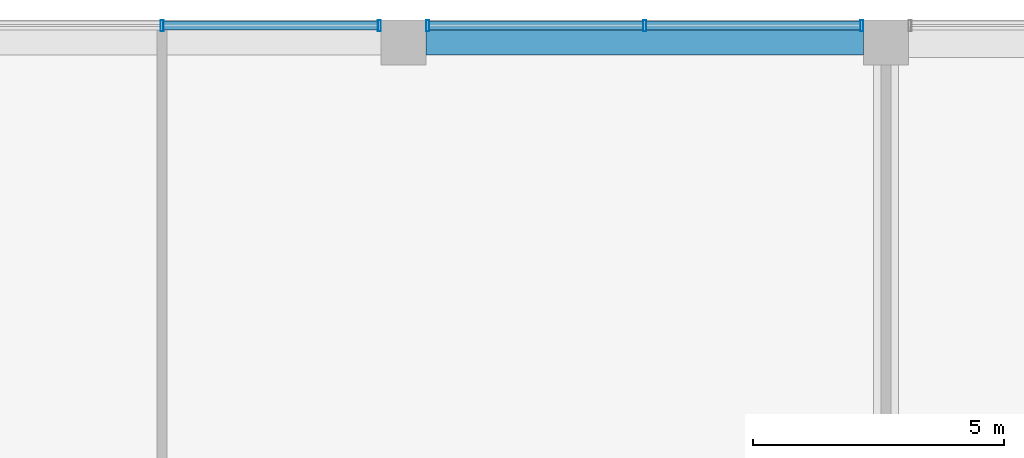
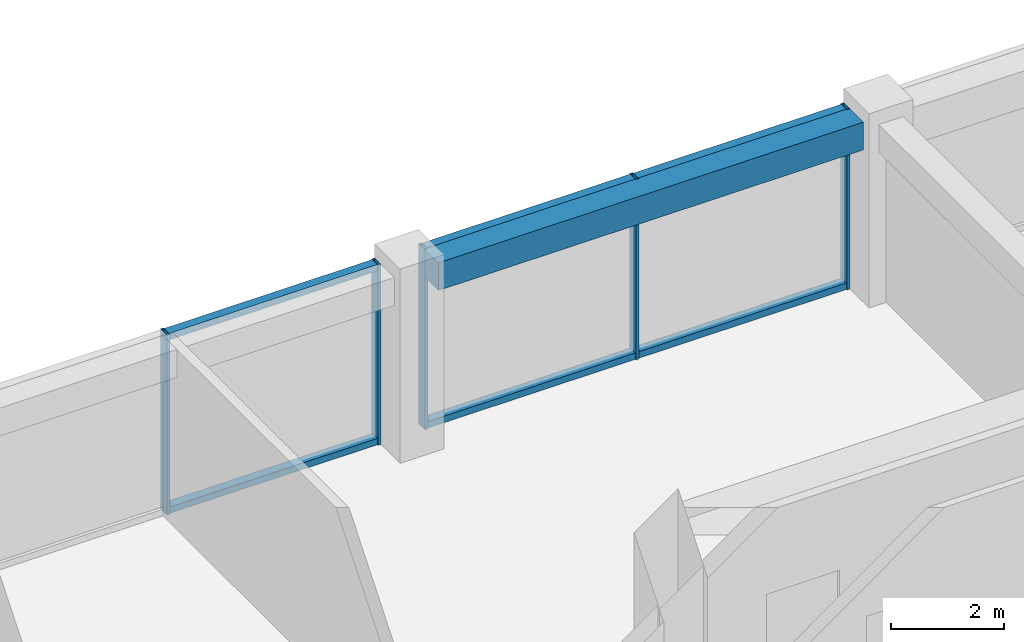
# One storey, part 24 of 37: 11 members, 1 beam, 2 elements without a shape of their own.
"""IFC4 building model written with IfcOpenShell, lengths in metres."""

from ifc_helpers import new_model, si_unit, direction, frame, origin, origin_2d, place, context, subcontext, project, spatial, rectangle, hollow_rectangle, extrude, material, layer, layer_set, material_profile, profile_set, type_object, element, aggregate, save


model = new_model("IFC4")

# Units and contexts
model_context = context("Model", 3, precision=1e-05, world=origin(), true_north=direction((0.0, 1.0)))
body_context = subcontext(model_context, "Body", "Model", "MODEL_VIEW")
ifc_project = project(units=[si_unit("LENGTHUNIT", "METRE"), si_unit("AREAUNIT", "SQUARE_METRE"), si_unit("VOLUMEUNIT", "CUBIC_METRE"), si_unit("PLANEANGLEUNIT", "RADIAN"), si_unit("MASSUNIT", "GRAM", prefix="KILO")], contexts=[model_context])

# Site, building, storey
site_placement = place(None, origin())
site = spatial("IfcSite", under=ifc_project, at=site_placement, CompositionType="ELEMENT")
building_placement = place(site_placement, origin())
building = spatial("IfcBuilding", under=site, at=building_placement, Name="Nzadi Deep Aquarium and Research Tower", CompositionType="ELEMENT")
storey_placement = place(building_placement, frame((0.0, 0.0, 61.300048828125)))
storey = spatial("IfcBuildingStorey", under=building, at=storey_placement, Name="L12", CompositionType="ELEMENT", Elevation=61.300048828125)

# Curtain wall, members
ifc_material_1 = material(Name="Aluminium unitised frame deep", Category="aluminium")
ifc_layer = layer(ifc_material_1, 0.22509765625)
ifc_layer_set = layer_set([ifc_layer], Name="Aluminium unitised frame deep")
curtain_wall_type = type_object("IfcCurtainWallType", Name="Curtain wall Unitised Deep 225", PredefinedType="NOTDEFINED", material=ifc_layer_set)
curtain_wall_1_placement = place(storey_placement, origin())
curtain_wall_1 = element("IfcCurtainWall", 1, at=curtain_wall_1_placement, inside=storey, type_object=curtain_wall_type, Name="Unitised curtain wall blade B north L12", PredefinedType="NOTDEFINED")
ifc_material_2 = material(Name="Aluminium unitised frame deep", Category="aluminium")
ifc_material_profile_1 = material_profile(ifc_material_2, hollow_rectangle(XDim=0.22509765625, YDim=0.06005859375, WallThickness=0.0048828125, at=origin_2d()))
ifc_profile_set_1 = profile_set([ifc_material_profile_1], Name="Aluminium unitised frame deep")
member_type_1 = type_object("IfcMemberType", Name="Mullion 60x225 Unitised Deep", PredefinedType="MULLION", material=ifc_profile_set_1)
member_1_placement = place(storey_placement, frame((33.60009765625, 46.33740234375, 0.0), z_axis=(0.0, 0.0, 1.0), x_axis=(0.0, 1.0, 0.0)))
member_1 = element("IfcMember", 2, at=member_1_placement, type_object=member_type_1, Name="CW161 mullion 2", PredefinedType="MULLION", context=body_context, shape_type="SweptSolid", body=[
    extrude(hollow_rectangle(XDim=0.22509765625, YDim=0.06005859375, WallThickness=0.0048828125, at=origin_2d()), origin(), (0.0, 0.0, 1.0), 3.89990234375),
])
member_2_placement = place(storey_placement, frame((37.919921875, 46.33740234375, 0.0), z_axis=(0.0, 0.0, 1.0), x_axis=(0.0, 1.0, 0.0)))
member_2 = element("IfcMember", 3, at=member_2_placement, type_object=member_type_1, Name="CW161 mullion 3", PredefinedType="MULLION", context=body_context, shape_type="SweptSolid", body=[
    extrude(hollow_rectangle(XDim=0.22509765625, YDim=0.06005859375, WallThickness=0.0048828125, at=origin_2d()), origin(), (0.0, 0.0, 1.0), 3.89990234375),
])

curtain_wall_2_placement = place(storey_placement, origin())
curtain_wall_2 = element("IfcCurtainWall", 4, at=curtain_wall_2_placement, inside=storey, type_object=curtain_wall_type, Name="Unitised curtain wall blade B north L12", PredefinedType="NOTDEFINED")
member_3_placement = place(storey_placement, frame((38.8798828125, 46.33740234375, 0.0), z_axis=(0.0, 0.0, 1.0), x_axis=(0.0, 1.0, 0.0)))
member_3 = element("IfcMember", 5, at=member_3_placement, type_object=member_type_1, Name="CW162 mullion 1", PredefinedType="MULLION", context=body_context, shape_type="SweptSolid", body=[
    extrude(hollow_rectangle(XDim=0.22509765625, YDim=0.06005859375, WallThickness=0.0048828125, at=origin_2d()), origin(), (0.0, 0.0, 1.0), 3.89990234375),
])
member_4_placement = place(storey_placement, frame((43.199951171875, 46.33740234375, 0.0), z_axis=(0.0, 0.0, 1.0), x_axis=(0.0, 1.0, 0.0)))
member_4 = element("IfcMember", 6, at=member_4_placement, type_object=member_type_1, Name="CW162 mullion 2", PredefinedType="MULLION", context=body_context, shape_type="SweptSolid", body=[
    extrude(hollow_rectangle(XDim=0.22509765625, YDim=0.06005859375, WallThickness=0.0048828125, at=origin_2d()), origin(), (0.0, 0.0, 1.0), 3.89990234375),
])
member_5_placement = place(storey_placement, frame((47.52001953125, 46.33740234375, 0.0), z_axis=(0.0, 0.0, 1.0), x_axis=(0.0, 1.0, 0.0)))
member_5 = element("IfcMember", 7, at=member_5_placement, type_object=member_type_1, Name="CW162 mullion 3", PredefinedType="MULLION", context=body_context, shape_type="SweptSolid", body=[
    extrude(hollow_rectangle(XDim=0.22509765625, YDim=0.06005859375, WallThickness=0.0048828125, at=origin_2d()), origin(), (0.0, 0.0, 1.0), 3.89990234375),
])

# Beam
ifc_material_3 = material(Name="Concrete C35/45", Category="concrete")
ifc_material_profile_2 = material_profile(ifc_material_3, rectangle(XDim=0.5, YDim=0.60009765625, at=origin_2d()))
ifc_profile_set_2 = profile_set([ifc_material_profile_2], Name="Concrete C35/45")
beam_type = type_object("IfcBeamType", Name="RC 500x600", PredefinedType="BEAM", material=ifc_profile_set_2)
beam_placement = place(storey_placement, frame((38.85009765625, 46.0, 3.599853515625), z_axis=(1.0, 0.0, 0.0), x_axis=(0.0, 1.0, 0.0)))
element("IfcBeam", 8, at=beam_placement, inside=storey, type_object=beam_type, Name="B-Z1-L12-L6-5", PredefinedType="BEAM", context=body_context, shape_type="SweptSolid", body=[
    extrude(rectangle(XDim=0.5, YDim=0.60009765625, at=origin_2d()), origin(), (0.0, 0.0, 1.0), 8.699951171875),
])

# Member
ifc_material_4 = material(Name="Aluminium unitised frame deep", Category="aluminium")
ifc_material_profile_3 = material_profile(ifc_material_4, hollow_rectangle(XDim=0.179931640625, YDim=0.139892578125, WallThickness=0.0048828125, at=origin_2d()))
ifc_profile_set_3 = profile_set([ifc_material_profile_3], Name="Aluminium unitised frame deep")
member_type_2 = type_object("IfcMemberType", Name="Transom 140x180 Unitised Deep", PredefinedType="MULLION", material=ifc_profile_set_3)
member_6_placement = place(storey_placement, frame((33.6298828125, 46.33740234375, 0.070068359375), z_axis=(1.0, 0.0, 0.0), x_axis=(0.0, 1.0, 0.0)))
member_6 = element("IfcMember", 9, at=member_6_placement, type_object=member_type_2, Name="CW161 transom 2.1", PredefinedType="MULLION", context=body_context, shape_type="SweptSolid", body=[
    extrude(hollow_rectangle(XDim=0.179931640625, YDim=0.139892578125, WallThickness=0.0048828125, at=origin_2d()), origin(), (0.0, 0.0, 1.0), 4.260009765625),
])

member_7_placement = place(storey_placement, frame((33.6298828125, 46.33740234375, 3.829833984375), z_axis=(1.0, 0.0, 0.0), x_axis=(0.0, 1.0, 0.0)))
member_7 = element("IfcMember", 10, at=member_7_placement, type_object=member_type_2, Name="CW161 transom 2.2", PredefinedType="MULLION", context=body_context, shape_type="SweptSolid", body=[
    extrude(hollow_rectangle(XDim=0.179931640625, YDim=0.139892578125, WallThickness=0.0048828125, at=origin_2d()), origin(), (0.0, 0.0, 1.0), 4.260009765625),
])

aggregate(curtain_wall_1, [member_1, member_2, member_6, member_7])

member_8_placement = place(storey_placement, frame((38.909912109375, 46.33740234375, 0.070068359375), z_axis=(1.0, 0.0, 0.0), x_axis=(0.0, 1.0, 0.0)))
member_8 = element("IfcMember", 11, at=member_8_placement, type_object=member_type_2, Name="CW162 transom 1.1", PredefinedType="MULLION", context=body_context, shape_type="SweptSolid", body=[
    extrude(hollow_rectangle(XDim=0.179931640625, YDim=0.139892578125, WallThickness=0.0048828125, at=origin_2d()), origin(), (0.0, 0.0, 1.0), 4.260009765625),
])

member_9_placement = place(storey_placement, frame((38.909912109375, 46.33740234375, 3.829833984375), z_axis=(1.0, 0.0, 0.0), x_axis=(0.0, 1.0, 0.0)))
member_9 = element("IfcMember", 12, at=member_9_placement, type_object=member_type_2, Name="CW162 transom 1.2", PredefinedType="MULLION", context=body_context, shape_type="SweptSolid", body=[
    extrude(hollow_rectangle(XDim=0.179931640625, YDim=0.139892578125, WallThickness=0.0048828125, at=origin_2d()), origin(), (0.0, 0.0, 1.0), 4.260009765625),
])

member_10_placement = place(storey_placement, frame((43.22998046875, 46.33740234375, 0.070068359375), z_axis=(1.0, 0.0, 0.0), x_axis=(0.0, 1.0, 0.0)))
member_10 = element("IfcMember", 13, at=member_10_placement, type_object=member_type_2, Name="CW162 transom 2.1", PredefinedType="MULLION", context=body_context, shape_type="SweptSolid", body=[
    extrude(hollow_rectangle(XDim=0.179931640625, YDim=0.139892578125, WallThickness=0.0048828125, at=origin_2d()), origin(), (0.0, 0.0, 1.0), 4.260009765625),
])

member_11_placement = place(storey_placement, frame((43.22998046875, 46.33740234375, 3.829833984375), z_axis=(1.0, 0.0, 0.0), x_axis=(0.0, 1.0, 0.0)))
member_11 = element("IfcMember", 14, at=member_11_placement, type_object=member_type_2, Name="CW162 transom 2.2", PredefinedType="MULLION", context=body_context, shape_type="SweptSolid", body=[
    extrude(hollow_rectangle(XDim=0.179931640625, YDim=0.139892578125, WallThickness=0.0048828125, at=origin_2d()), origin(), (0.0, 0.0, 1.0), 4.260009765625),
])

aggregate(curtain_wall_2, [member_3, member_4, member_5, member_8, member_9, member_10, member_11])

save(model, "model.ifc")
